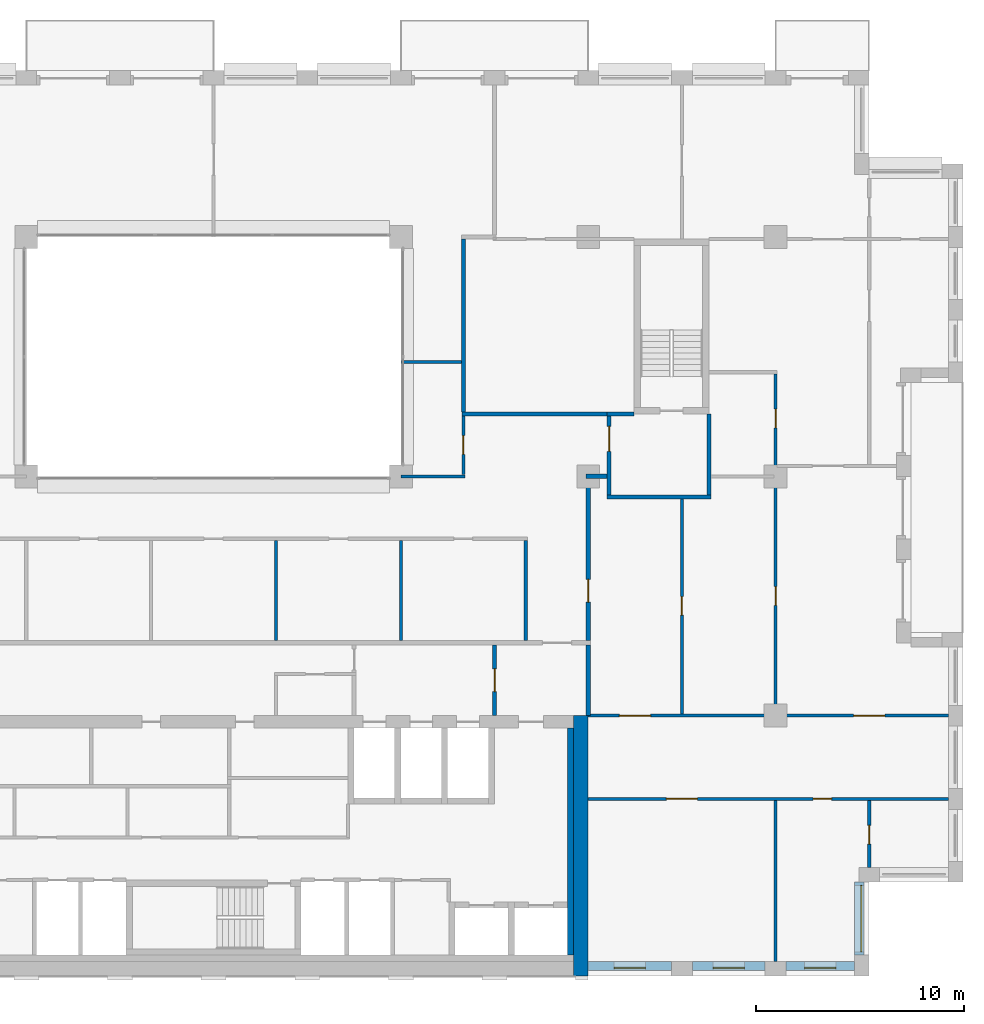
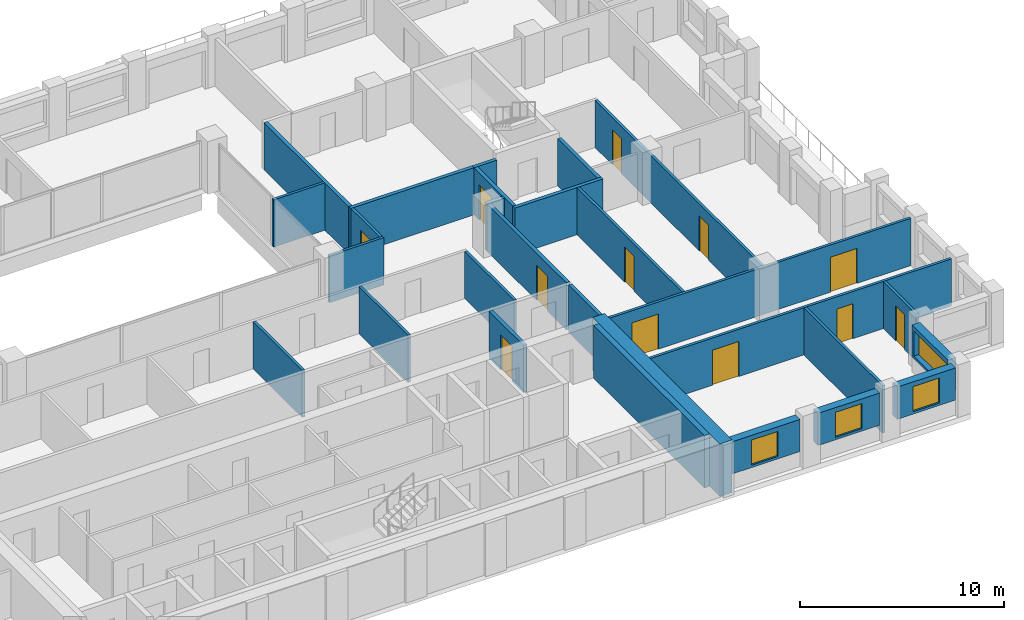
# One storey, part 11 of 16: 28 walls, 12 doors, 4 windows, 16 openings.
"""IFC4 building model written with IfcOpenShell, lengths in metres."""

from ifc_helpers import new_model, si_unit, direction, frame, frame_2d, origin, place, context, subcontext, project, spatial, rectangle, extrude, material, layer, layer_set, type_object, element, fill, save


model = new_model("IFC4")

# Units and contexts
model_context = context("Model", 3, precision=1e-05, world=origin(), true_north=direction((0.0, 1.0)))
body_context = subcontext(model_context, "Body", "Model", "MODEL_VIEW")
ifc_project = project(units=[si_unit("LENGTHUNIT", "METRE"), si_unit("AREAUNIT", "SQUARE_METRE"), si_unit("VOLUMEUNIT", "CUBIC_METRE"), si_unit("PLANEANGLEUNIT", "RADIAN"), si_unit("MASSUNIT", "GRAM", prefix="KILO")], contexts=[model_context])

# Site, building, storey
site_placement = place(None, origin())
site = spatial("IfcSite", under=ifc_project, at=site_placement, CompositionType="ELEMENT")
building_placement = place(site_placement, origin())
building = spatial("IfcBuilding", under=site, at=building_placement, Name="Brigalow Station Residences", CompositionType="ELEMENT")
storey_placement = place(building_placement, frame((0.0, 0.0, 163.35009765625)))
storey = spatial("IfcBuildingStorey", under=building, at=storey_placement, Name="L47", CompositionType="ELEMENT", Elevation=163.35009765625)

# Wall, opening, window
ifc_material_1 = material(Name="Clay brick masonry", Category="masonry")
ifc_layer_1 = layer(ifc_material_1, 0.449951171875)
ifc_layer_set_1 = layer_set([ifc_layer_1], Name="BRICK INFILL WALL 450")
wall_type_1 = type_object("IfcWallType", Name="BRICK INFILL WALL 450", PredefinedType="SOLIDWALL", material=ifc_layer_set_1)
wall_1_placement = place(storey_placement, frame((54.0, 0.47509765625, 0.89990234375), z_axis=(0.0, 0.0, 1.0), x_axis=(1.0, 0.0, 0.0)))
wall_1 = element("IfcWall", 1, at=wall_1_placement, inside=storey, type_object=wall_type_1, Name="L47/ewall/W-L47-4", PredefinedType="SOLIDWALL", context=body_context, shape_type="SweptSolid", body=[
    extrude(rectangle(XDim=4.0, YDim=0.449951171875, at=frame_2d((2.0, 0.0))), origin(), (0.0, 0.0, 1.0), 1.929931640625),
])
opening_1_placement = place(wall_1_placement, frame((1.25, 0.0, 0.14990234375)))
opening_1 = element("IfcOpeningElement", 2, at=opening_1_placement, cuts=wall_1, Name="Opening WT-1", PredefinedType="OPENING", context=body_context, shape_type="SweptSolid", body=[
    extrude(rectangle(XDim=1.5, YDim=1.5, at=frame_2d((0.75, 0.75))), frame((0.0, 0.23486328125, 0.0), z_axis=(0.0, -1.0, 0.0), x_axis=(1.0, 0.0, 0.0)), (0.0, 0.0, 1.0), 0.469970703125),
])
ifc_material_2 = material(Name="Anodised aluminium frame with double glazing", Category="aluminium")
window_type_1 = type_object("IfcWindowType", Name="WINDOW 1500x1500", PartitioningType="SINGLE_PANEL", PredefinedType="WINDOW", material=ifc_material_2)
window_1_placement = place(opening_1_placement, origin())
window_1 = element("IfcWindow", 3, at=window_1_placement, inside=storey, type_object=window_type_1, Name="L47/window/W-L47-4", OverallHeight=1.5, OverallWidth=1.5, PartitioningType="SINGLE_PANEL", PredefinedType="WINDOW", context=body_context, shape_type="SweptSolid", body=[
    extrude(rectangle(XDim=1.5, YDim=1.5, at=frame_2d((0.75, 0.75))), frame((0.0, -0.06494140625, 0.0), z_axis=(0.0, -1.0, 0.0), x_axis=(1.0, 0.0, 0.0)), (0.0, 0.0, 1.0), 0.06005859375),
])
fill(opening_1, window_1)

wall_2_placement = place(storey_placement, frame((59.0, 0.47509765625, 0.89990234375), z_axis=(0.0, 0.0, 1.0), x_axis=(1.0, 0.0, 0.0)))
wall_2 = element("IfcWall", 4, at=wall_2_placement, inside=storey, type_object=wall_type_1, Name="L47/ewall/W-L47-5", PredefinedType="SOLIDWALL", context=body_context, shape_type="SweptSolid", body=[
    extrude(rectangle(XDim=3.5, YDim=0.449951171875, at=frame_2d((1.75, 0.0))), origin(), (0.0, 0.0, 1.0), 1.929931640625),
])
opening_2_placement = place(wall_2_placement, frame((1.0, 0.0, 0.14990234375)))
opening_2 = element("IfcOpeningElement", 5, at=opening_2_placement, cuts=wall_2, Name="Opening WT-1", PredefinedType="OPENING", context=body_context, shape_type="SweptSolid", body=[
    extrude(rectangle(XDim=1.5, YDim=1.5, at=frame_2d((0.75, 0.75))), frame((0.0, 0.23486328125, 0.0), z_axis=(0.0, -1.0, 0.0), x_axis=(1.0, 0.0, 0.0)), (0.0, 0.0, 1.0), 0.469970703125),
])
window_2_placement = place(opening_2_placement, origin())
window_2 = element("IfcWindow", 6, at=window_2_placement, inside=storey, type_object=window_type_1, Name="L47/window/W-L47-5", OverallHeight=1.5, OverallWidth=1.5, PartitioningType="SINGLE_PANEL", PredefinedType="WINDOW", context=body_context, shape_type="SweptSolid", body=[
    extrude(rectangle(XDim=1.5, YDim=1.5, at=frame_2d((0.75, 0.75))), frame((0.0, -0.06494140625, 0.0), z_axis=(0.0, -1.0, 0.0), x_axis=(1.0, 0.0, 0.0)), (0.0, 0.0, 1.0), 0.06005859375),
])
fill(opening_2, window_2)

wall_3_placement = place(storey_placement, frame((63.5, 0.47509765625, 0.89990234375), z_axis=(0.0, 0.0, 1.0), x_axis=(1.0, 0.0, 0.0)))
wall_3 = element("IfcWall", 7, at=wall_3_placement, inside=storey, type_object=wall_type_1, Name="L47/ewall/W-L47-6", PredefinedType="SOLIDWALL", context=body_context, shape_type="SweptSolid", body=[
    extrude(rectangle(XDim=3.300048828125, YDim=0.449951171875, at=frame_2d((1.64990234375, 0.0))), origin(), (0.0, 0.0, 1.0), 1.929931640625),
])
opening_3_placement = place(wall_3_placement, frame((0.89990234375, 0.0, 0.14990234375)))
opening_3 = element("IfcOpeningElement", 8, at=opening_3_placement, cuts=wall_3, Name="Opening WT-1", PredefinedType="OPENING", context=body_context, shape_type="SweptSolid", body=[
    extrude(rectangle(XDim=1.5, YDim=1.5, at=frame_2d((0.75, 0.75))), frame((0.0, 0.23486328125, 0.0), z_axis=(0.0, -1.0, 0.0), x_axis=(1.0, 0.0, 0.0)), (0.0, 0.0, 1.0), 0.469970703125),
])
window_3_placement = place(opening_3_placement, origin())
window_3 = element("IfcWindow", 9, at=window_3_placement, inside=storey, type_object=window_type_1, Name="L47/window/W-L47-6", OverallHeight=1.5, OverallWidth=1.5, PartitioningType="SINGLE_PANEL", PredefinedType="WINDOW", context=body_context, shape_type="SweptSolid", body=[
    extrude(rectangle(XDim=1.5, YDim=1.5, at=frame_2d((0.75, 0.75))), frame((0.0, -0.06494140625, 0.0), z_axis=(0.0, -1.0, 0.0), x_axis=(1.0, 0.0, 0.0)), (0.0, 0.0, 1.0), 0.06005859375),
])
fill(opening_3, window_3)

wall_4_placement = place(storey_placement, frame((67.02490234375, 1.0, 0.89990234375), z_axis=(0.0, 0.0, 1.0), x_axis=(0.0, 1.0, 0.0)))
wall_4 = element("IfcWall", 10, at=wall_4_placement, inside=storey, type_object=wall_type_1, Name="L47/ewall/W-L47-7", PredefinedType="SOLIDWALL", context=body_context, shape_type="SweptSolid", body=[
    extrude(rectangle(XDim=3.5, YDim=0.449951171875, at=frame_2d((1.75, 0.0))), origin(), (0.0, 0.0, 1.0), 1.929931640625),
])
opening_4_placement = place(wall_4_placement, frame((0.14990234375, 0.0, 0.14990234375)))
opening_4 = element("IfcOpeningElement", 11, at=opening_4_placement, cuts=wall_4, Name="Opening WT-9", PredefinedType="OPENING", context=body_context, shape_type="SweptSolid", body=[
    extrude(rectangle(XDim=3.199951171875, YDim=1.5, at=frame_2d((1.60009765625, 0.75))), frame((0.0, 0.23486328125, 0.0), z_axis=(0.0, -1.0, 0.0), x_axis=(1.0, 0.0, 0.0)), (0.0, 0.0, 1.0), 0.469970703125),
])
ifc_material_3 = material(Name="Anodised aluminium frame with double glazing", Category="aluminium")
window_type_2 = type_object("IfcWindowType", Name="WINDOW 3200x1500", PartitioningType="SINGLE_PANEL", PredefinedType="WINDOW", material=ifc_material_3)
window_4_placement = place(opening_4_placement, origin())
window_4 = element("IfcWindow", 12, at=window_4_placement, inside=storey, type_object=window_type_2, Name="L47/window/W-L47-7", OverallHeight=1.5, OverallWidth=3.199951171875, PartitioningType="SINGLE_PANEL", PredefinedType="WINDOW", context=body_context, shape_type="SweptSolid", body=[
    extrude(rectangle(XDim=3.199951171875, YDim=1.5, at=frame_2d((1.60009765625, 0.75))), frame((0.0, -0.06494140625, 0.0), z_axis=(0.0, -1.0, 0.0), x_axis=(1.0, 0.0, 0.0)), (0.0, 0.0, 1.0), 0.06005859375),
])
fill(opening_4, window_4)

# Walls
ifc_material_4 = material(Name="Concrete C65", Category="concrete")
ifc_layer_2 = layer(ifc_material_4, 0.300048828125)
ifc_layer_set_2 = layer_set([ifc_layer_2], Name="CORE SHEAR WALL 300 C65")
wall_type_2 = type_object("IfcWallType", Name="CORE SHEAR WALL 300 C65", PredefinedType="SHEAR", material=ifc_layer_set_2)
wall_5_placement = place(storey_placement, frame((53.14990234375, 1.0, 0.0), z_axis=(0.0, 0.0, 1.0), x_axis=(0.0, 1.0, 0.0)))
element("IfcWall", 13, at=wall_5_placement, inside=storey, type_object=wall_type_2, Name="CORE WALL LIN-E L47", PredefinedType="SHEAR", context=body_context, shape_type="SweptSolid", body=[
    extrude(rectangle(XDim=10.89990234375, YDim=0.300048828125, at=frame_2d((5.449951171875, 0.0))), origin(), (0.0, 0.0, 1.0), 3.14990234375),
])
ifc_material_5 = material(Name="Concrete C65", Category="concrete")
ifc_layer_3 = layer(ifc_material_5, 0.699951171875)
ifc_layer_set_3 = layer_set([ifc_layer_3], Name="CORE SHEAR WALL 700 C65")
wall_type_3 = type_object("IfcWallType", Name="CORE SHEAR WALL 700 C65", PredefinedType="SHEAR", material=ifc_layer_set_3)
wall_6_placement = place(storey_placement, frame((53.64990234375, 0.0, 0.0), z_axis=(0.0, 0.0, 1.0), x_axis=(0.0, 1.0, 0.0)))
element("IfcWall", 14, at=wall_6_placement, inside=storey, type_object=wall_type_3, Name="CORE WALL OUT-E L47", PredefinedType="SHEAR", context=body_context, shape_type="SweptSolid", body=[
    extrude(rectangle(XDim=12.5, YDim=0.699951171875, at=frame_2d((6.25, 0.0))), origin(), (0.0, 0.0, 1.0), 3.14990234375),
])
ifc_material_6 = material(Name="Concrete blockwork", Category="masonry")
ifc_layer_4 = layer(ifc_material_6, 0.199951171875)
ifc_layer_set_4 = layer_set([ifc_layer_4], Name="FIRE RATED CORE PARTITION 200")
wall_type_4 = type_object("IfcWallType", Name="FIRE RATED CORE PARTITION 200", PredefinedType="PARTITIONING", material=ifc_layer_set_4)
wall_7_placement = place(storey_placement, frame((54.89990234375, 23.0, 0.0), z_axis=(0.0, 0.0, 1.0), x_axis=(1.0, 0.0, 0.0)))
element("IfcWall", 15, at=wall_7_placement, inside=storey, type_object=wall_type_4, Name="PW-5024", PredefinedType="PARTITIONING", context=body_context, shape_type="SweptSolid", body=[
    extrude(rectangle(XDim=5.0, YDim=0.199951171875, at=frame_2d((2.5, 0.0))), origin(), (0.0, 0.0, 1.0), 2.829833984375),
])
wall_8_placement = place(storey_placement, frame((54.89990234375, 27.0, 0.0), z_axis=(0.0, 0.0, 1.0), x_axis=(1.0, 0.0, 0.0)))
element("IfcWall", 16, at=wall_8_placement, inside=storey, type_object=wall_type_4, Name="PW-5026", PredefinedType="PARTITIONING", context=body_context, shape_type="SweptSolid", body=[
    extrude(rectangle(XDim=1.300048828125, YDim=0.199951171875, at=frame_2d((0.64990234375, 0.0))), origin(), (0.0, 0.0, 1.0), 2.829833984375),
])

# Wall, opening, door
wall_9_placement = place(storey_placement, frame((49.5, 12.5, 0.0), z_axis=(0.0, 0.0, 1.0), x_axis=(0.0, 1.0, 0.0)))
wall_9 = element("IfcWall", 17, at=wall_9_placement, inside=storey, type_object=wall_type_4, Name="PW-5015", PredefinedType="PARTITIONING", context=body_context, shape_type="SweptSolid", body=[
    extrude(rectangle(XDim=3.39990234375, YDim=0.199951171875, at=frame_2d((1.699951171875, 0.0))), origin(), (0.0, 0.0, 1.0), 2.829833984375),
])
opening_5_placement = place(wall_9_placement, frame((1.14990234375, 0.0, 0.0)))
opening_5 = element("IfcOpeningElement", 18, at=opening_5_placement, cuts=wall_9, Name="Opening D-5014", PredefinedType="OPENING", context=body_context, shape_type="SweptSolid", body=[
    extrude(rectangle(XDim=1.10009765625, YDim=2.10009765625, at=frame_2d((0.550048828125, 1.050048828125))), frame((0.0, 0.10986328125, 0.0), z_axis=(0.0, -1.0, 0.0), x_axis=(1.0, 0.0, 0.0)), (0.0, 0.0, 1.0), 0.219970703125),
])
ifc_material_7 = material(Name="Steel fire door leaf in steel frame", Category="steel")
door_type_1 = type_object("IfcDoorType", Name="LOBBY DOOR 1100 x 2100 FD60S", OperationType="SINGLE_SWING_LEFT", PredefinedType="DOOR", material=ifc_material_7)
door_1_placement = place(opening_5_placement, origin())
door_1 = element("IfcDoor", 19, at=door_1_placement, inside=storey, type_object=door_type_1, Name="D-5014", OperationType="SINGLE_SWING_LEFT", OverallHeight=2.10009765625, OverallWidth=1.10009765625, PredefinedType="DOOR", context=body_context, shape_type="SweptSolid", body=[
    extrude(rectangle(XDim=1.10009765625, YDim=2.10009765625, at=frame_2d((0.550048828125, 1.050048828125))), frame((0.0, 0.02490234375, 0.0), z_axis=(0.0, -1.0, 0.0), x_axis=(1.0, 0.0, 0.0)), (0.0, 0.0, 1.0), 0.050048828125),
])
fill(opening_5, door_1)

# Wall
wall_10_placement = place(storey_placement, frame((54.0, 12.5, 0.0), z_axis=(0.0, 0.0, 1.0), x_axis=(0.0, 1.0, 0.0)))
element("IfcWall", 20, at=wall_10_placement, inside=storey, type_object=wall_type_4, Name="PW-5016", PredefinedType="PARTITIONING", context=body_context, shape_type="SweptSolid", body=[
    extrude(rectangle(XDim=3.39990234375, YDim=0.199951171875, at=frame_2d((1.699951171875, 0.0))), origin(), (0.0, 0.0, 1.0), 2.829833984375),
])

# Wall, opening, door
wall_11_placement = place(storey_placement, frame((55.0, 23.10009765625, 0.0), z_axis=(0.0, 0.0, 1.0), x_axis=(0.0, 1.0, 0.0)))
wall_11 = element("IfcWall", 21, at=wall_11_placement, inside=storey, type_object=wall_type_4, Name="PW-5036", PredefinedType="PARTITIONING", context=body_context, shape_type="SweptSolid", body=[
    extrude(rectangle(XDim=3.7998046875, YDim=0.199951171875, at=frame_2d((1.89990234375, 0.0))), origin(), (0.0, 0.0, 1.0), 2.829833984375),
])
opening_6_placement = place(wall_11_placement, frame((2.10009765625, 0.0, 0.0)))
opening_6 = element("IfcOpeningElement", 22, at=opening_6_placement, cuts=wall_11, Name="Opening D-5019", PredefinedType="OPENING", context=body_context, shape_type="SweptSolid", body=[
    extrude(rectangle(XDim=1.199951171875, YDim=2.10009765625, at=frame_2d((0.60009765625, 1.050048828125))), frame((0.0, 0.10986328125, 0.0), z_axis=(0.0, -1.0, 0.0), x_axis=(1.0, 0.0, 0.0)), (0.0, 0.0, 1.0), 0.219970703125),
])
ifc_material_8 = material(Name="Steel fire door leaf in steel frame", Category="steel")
door_type_2 = type_object("IfcDoorType", Name="STAIR LOBBY DOOR 1200 x 2100 FD60S", OperationType="SINGLE_SWING_LEFT", PredefinedType="DOOR", material=ifc_material_8)
door_2_placement = place(opening_6_placement, frame((1.199951171875, 0.0, 0.0), z_axis=(0.0, 0.0, 1.0), x_axis=(-1.0, 0.0, 0.0)))
door_2 = element("IfcDoor", 23, at=door_2_placement, inside=storey, type_object=door_type_2, Name="D-5019", OperationType="SINGLE_SWING_LEFT", OverallHeight=2.10009765625, OverallWidth=1.199951171875, PredefinedType="DOOR", context=body_context, shape_type="SweptSolid", body=[
    extrude(rectangle(XDim=1.199951171875, YDim=2.10009765625, at=frame_2d((0.60009765625, 1.050048828125))), frame((0.0, 0.02490234375, 0.0), z_axis=(0.0, -1.0, 0.0), x_axis=(1.0, 0.0, 0.0)), (0.0, 0.0, 1.0), 0.050048828125),
])
fill(opening_6, door_2)

# Walls
wall_12_placement = place(storey_placement, frame((59.800048828125, 23.10009765625, 0.0), z_axis=(0.0, 0.0, 1.0), x_axis=(0.0, 1.0, 0.0)))
element("IfcWall", 24, at=wall_12_placement, inside=storey, type_object=wall_type_4, Name="PW-5037", PredefinedType="PARTITIONING", context=body_context, shape_type="SweptSolid", body=[
    extrude(rectangle(XDim=3.89990234375, YDim=0.199951171875, at=frame_2d((1.949951171875, 0.0))), origin(), (0.0, 0.0, 1.0), 2.829833984375),
])
ifc_material_9 = material(Name="Plasterboard on steel stud partition", Category="steel")
ifc_layer_5 = layer(ifc_material_9, 0.14990234375)
ifc_layer_set_5 = layer_set([ifc_layer_5], Name="FLAT PARTITION 150")
wall_type_5 = type_object("IfcWallType", Name="FLAT PARTITION 150", PredefinedType="PARTITIONING", material=ifc_layer_set_5)
wall_13_placement = place(storey_placement, frame((45.0, 24.0, 0.0), z_axis=(0.0, 0.0, 1.0), x_axis=(1.0, 0.0, 0.0)))
element("IfcWall", 25, at=wall_13_placement, inside=storey, type_object=wall_type_5, Name="PW-3C02", PredefinedType="PARTITIONING", context=body_context, shape_type="SweptSolid", body=[
    extrude(rectangle(XDim=3.074951171875, YDim=0.14990234375, at=frame_2d((1.53759765625, 0.0))), origin(), (0.0, 0.0, 1.0), 2.829833984375),
])

# Wall, openings, doors
wall_14_placement = place(storey_placement, frame((54.0, 8.5, 0.0), z_axis=(0.0, 0.0, 1.0), x_axis=(1.0, 0.0, 0.0)))
wall_14 = element("IfcWall", 26, at=wall_14_placement, inside=storey, type_object=wall_type_5, Name="PW-3C10", PredefinedType="PARTITIONING", context=body_context, shape_type="SweptSolid", body=[
    extrude(rectangle(XDim=17.300048828125, YDim=0.14990234375, at=frame_2d((8.64990234375, 0.0))), origin(), (0.0, 0.0, 1.0), 2.829833984375),
])
opening_7_placement = place(wall_14_placement, frame((3.75, 0.0, 0.0)))
opening_7 = element("IfcOpeningElement", 27, at=opening_7_placement, cuts=wall_14, Name="Opening D-3C18", PredefinedType="OPENING", context=body_context, shape_type="SweptSolid", body=[
    extrude(rectangle(XDim=1.5, YDim=2.10009765625, at=frame_2d((0.75, 1.050048828125))), frame((0.0, 0.0849609375, 0.0), z_axis=(0.0, -1.0, 0.0), x_axis=(1.0, 0.0, 0.0)), (0.0, 0.0, 1.0), 0.169921875),
])
opening_8_placement = place(wall_14_placement, frame((10.800048828125, 0.0, 0.0)))
opening_8 = element("IfcOpeningElement", 28, at=opening_8_placement, cuts=wall_14, Name="Opening D-3C19", PredefinedType="OPENING", context=body_context, shape_type="SweptSolid", body=[
    extrude(rectangle(XDim=0.89990234375, YDim=2.10009765625, at=frame_2d((0.449951171875, 1.050048828125))), frame((0.0, 0.0849609375, 0.0), z_axis=(0.0, -1.0, 0.0), x_axis=(1.0, 0.0, 0.0)), (0.0, 0.0, 1.0), 0.169921875),
])
ifc_material_10 = material(Name="Solid-core timber door leaf", Category="wood")
door_type_3 = type_object("IfcDoorType", Name="INTERNAL DOOR 900 x 2100", OperationType="SINGLE_SWING_LEFT", PredefinedType="DOOR", material=ifc_material_10)
door_3_placement = place(opening_8_placement, frame((0.89990234375, 0.0, 0.0), z_axis=(0.0, 0.0, 1.0), x_axis=(-1.0, 0.0, 0.0)))
door_3 = element("IfcDoor", 29, at=door_3_placement, inside=storey, type_object=door_type_3, Name="D-3C19", OperationType="SINGLE_SWING_LEFT", OverallHeight=2.10009765625, OverallWidth=0.89990234375, PredefinedType="DOOR", context=body_context, shape_type="SweptSolid", body=[
    extrude(rectangle(XDim=0.89990234375, YDim=2.10009765625, at=frame_2d((0.449951171875, 1.050048828125))), frame((0.0, 0.02490234375, 0.0), z_axis=(0.0, -1.0, 0.0), x_axis=(1.0, 0.0, 0.0)), (0.0, 0.0, 1.0), 0.050048828125),
])
fill(opening_8, door_3)
ifc_material_11 = material(Name="Solid-core timber door leaf", Category="wood")
door_type_4 = type_object("IfcDoorType", Name="INTERNAL DOUBLE DOOR 1500 x 2100", OperationType="DOUBLE_DOOR_SINGLE_SWING", PredefinedType="DOOR", material=ifc_material_11)
door_4_placement = place(opening_7_placement, origin())
door_4 = element("IfcDoor", 30, at=door_4_placement, inside=storey, type_object=door_type_4, Name="D-3C18", OperationType="DOUBLE_DOOR_SINGLE_SWING", OverallHeight=2.10009765625, OverallWidth=1.5, PredefinedType="DOOR", context=body_context, shape_type="SweptSolid", body=[
    extrude(rectangle(XDim=1.5, YDim=2.10009765625, at=frame_2d((0.75, 1.050048828125))), frame((0.0, 0.02490234375, 0.0), z_axis=(0.0, -1.0, 0.0), x_axis=(1.0, 0.0, 0.0)), (0.0, 0.0, 1.0), 0.050048828125),
])
fill(opening_7, door_4)

wall_15_placement = place(storey_placement, frame((54.0, 12.5, 0.0), z_axis=(0.0, 0.0, 1.0), x_axis=(1.0, 0.0, 0.0)))
wall_15 = element("IfcWall", 31, at=wall_15_placement, inside=storey, type_object=wall_type_5, Name="PW-3C13", PredefinedType="PARTITIONING", context=body_context, shape_type="SweptSolid", body=[
    extrude(rectangle(XDim=17.300048828125, YDim=0.14990234375, at=frame_2d((8.64990234375, 0.0))), origin(), (0.0, 0.0, 1.0), 2.829833984375),
])
opening_9_placement = place(wall_15_placement, frame((1.5, 0.0, 0.0)))
opening_9 = element("IfcOpeningElement", 32, at=opening_9_placement, cuts=wall_15, Name="Opening D-3C16", PredefinedType="OPENING", context=body_context, shape_type="SweptSolid", body=[
    extrude(rectangle(XDim=1.5, YDim=2.10009765625, at=frame_2d((0.75, 1.050048828125))), frame((0.0, 0.0849609375, 0.0), z_axis=(0.0, -1.0, 0.0), x_axis=(1.0, 0.0, 0.0)), (0.0, 0.0, 1.0), 0.169921875),
])
opening_10_placement = place(wall_15_placement, frame((12.75, 0.0, 0.0)))
opening_10 = element("IfcOpeningElement", 33, at=opening_10_placement, cuts=wall_15, Name="Opening D-3C21", PredefinedType="OPENING", context=body_context, shape_type="SweptSolid", body=[
    extrude(rectangle(XDim=1.5, YDim=2.10009765625, at=frame_2d((0.75, 1.050048828125))), frame((0.0, 0.0849609375, 0.0), z_axis=(0.0, -1.0, 0.0), x_axis=(1.0, 0.0, 0.0)), (0.0, 0.0, 1.0), 0.169921875),
])
door_5_placement = place(opening_9_placement, origin())
door_5 = element("IfcDoor", 34, at=door_5_placement, inside=storey, type_object=door_type_4, Name="D-3C16", OperationType="DOUBLE_DOOR_SINGLE_SWING", OverallHeight=2.10009765625, OverallWidth=1.5, PredefinedType="DOOR", context=body_context, shape_type="SweptSolid", body=[
    extrude(rectangle(XDim=1.5, YDim=2.10009765625, at=frame_2d((0.75, 1.050048828125))), frame((0.0, 0.02490234375, 0.0), z_axis=(0.0, -1.0, 0.0), x_axis=(1.0, 0.0, 0.0)), (0.0, 0.0, 1.0), 0.050048828125),
])
fill(opening_9, door_5)
door_6_placement = place(opening_10_placement, frame((1.5, 0.0, 0.0), z_axis=(0.0, 0.0, 1.0), x_axis=(-1.0, 0.0, 0.0)))
door_6 = element("IfcDoor", 35, at=door_6_placement, inside=storey, type_object=door_type_4, Name="D-3C21", OperationType="DOUBLE_DOOR_SINGLE_SWING", OverallHeight=2.10009765625, OverallWidth=1.5, PredefinedType="DOOR", context=body_context, shape_type="SweptSolid", body=[
    extrude(rectangle(XDim=1.5, YDim=2.10009765625, at=frame_2d((0.75, 1.050048828125))), frame((0.0, 0.02490234375, 0.0), z_axis=(0.0, -1.0, 0.0), x_axis=(1.0, 0.0, 0.0)), (0.0, 0.0, 1.0), 0.050048828125),
])
fill(opening_10, door_6)

# Walls
wall_16_placement = place(storey_placement, frame((45.0, 29.5, 0.0), z_axis=(0.0, 0.0, 1.0), x_axis=(1.0, 0.0, 0.0)))
element("IfcWall", 36, at=wall_16_placement, inside=storey, type_object=wall_type_5, Name="PW-3C25", PredefinedType="PARTITIONING", context=body_context, shape_type="SweptSolid", body=[
    extrude(rectangle(XDim=2.89990234375, YDim=0.14990234375, at=frame_2d((1.449951171875, 0.0))), origin(), (0.0, 0.0, 1.0), 2.829833984375),
])
wall_17_placement = place(storey_placement, frame((51.0, 16.10009765625, 0.0), z_axis=(0.0, 0.0, 1.0), x_axis=(0.0, 1.0, 0.0)))
element("IfcWall", 37, at=wall_17_placement, inside=storey, type_object=wall_type_5, Name="PW-3C31", PredefinedType="PARTITIONING", context=body_context, shape_type="SweptSolid", body=[
    extrude(rectangle(XDim=4.824951171875, YDim=0.14990234375, at=frame_2d((2.41259765625, 0.0))), origin(), (0.0, 0.0, 1.0), 2.829833984375),
])

# Wall, opening, door
wall_18_placement = place(storey_placement, frame((48.0, 24.074951171875, 0.0), z_axis=(0.0, 0.0, 1.0), x_axis=(0.0, 1.0, 0.0)))
wall_18 = element("IfcWall", 38, at=wall_18_placement, inside=storey, type_object=wall_type_5, Name="PW-3C34", PredefinedType="PARTITIONING", context=body_context, shape_type="SweptSolid", body=[
    extrude(rectangle(XDim=2.824951171875, YDim=0.14990234375, at=frame_2d((1.41259765625, 0.0))), origin(), (0.0, 0.0, 1.0), 2.829833984375),
])
opening_11_placement = place(wall_18_placement, frame((0.97509765625, 0.0, 0.0)))
opening_11 = element("IfcOpeningElement", 39, at=opening_11_placement, cuts=wall_18, Name="Opening D-3C32", PredefinedType="OPENING", context=body_context, shape_type="SweptSolid", body=[
    extrude(rectangle(XDim=0.89990234375, YDim=2.10009765625, at=frame_2d((0.449951171875, 1.050048828125))), frame((0.0, 0.0849609375, 0.0), z_axis=(0.0, -1.0, 0.0), x_axis=(1.0, 0.0, 0.0)), (0.0, 0.0, 1.0), 0.169921875),
])
door_7_placement = place(opening_11_placement, origin())
door_7 = element("IfcDoor", 40, at=door_7_placement, inside=storey, type_object=door_type_3, Name="D-3C32", OperationType="SINGLE_SWING_LEFT", OverallHeight=2.10009765625, OverallWidth=0.89990234375, PredefinedType="DOOR", context=body_context, shape_type="SweptSolid", body=[
    extrude(rectangle(XDim=0.89990234375, YDim=2.10009765625, at=frame_2d((0.449951171875, 1.050048828125))), frame((0.0, 0.02490234375, 0.0), z_axis=(0.0, -1.0, 0.0), x_axis=(1.0, 0.0, 0.0)), (0.0, 0.0, 1.0), 0.050048828125),
])
fill(opening_11, door_7)

wall_19_placement = place(storey_placement, frame((58.5, 12.574951171875, 0.0), z_axis=(0.0, 0.0, 1.0), x_axis=(0.0, 1.0, 0.0)))
wall_19 = element("IfcWall", 41, at=wall_19_placement, inside=storey, type_object=wall_type_5, Name="PW-3C41", PredefinedType="PARTITIONING", context=body_context, shape_type="SweptSolid", body=[
    extrude(rectangle(XDim=10.324951171875, YDim=0.14990234375, at=frame_2d((5.16259765625, 0.0))), origin(), (0.0, 0.0, 1.0), 2.829833984375),
])
opening_12_placement = place(wall_19_placement, frame((4.75, 0.0, 0.0)))
opening_12 = element("IfcOpeningElement", 42, at=opening_12_placement, cuts=wall_19, Name="Opening D-3C17", PredefinedType="OPENING", context=body_context, shape_type="SweptSolid", body=[
    extrude(rectangle(XDim=0.89990234375, YDim=2.10009765625, at=frame_2d((0.449951171875, 1.050048828125))), frame((0.0, 0.0849609375, 0.0), z_axis=(0.0, -1.0, 0.0), x_axis=(1.0, 0.0, 0.0)), (0.0, 0.0, 1.0), 0.169921875),
])
door_8_placement = place(opening_12_placement, origin())
door_8 = element("IfcDoor", 43, at=door_8_placement, inside=storey, type_object=door_type_3, Name="D-3C17", OperationType="SINGLE_SWING_RIGHT", OverallHeight=2.10009765625, OverallWidth=0.89990234375, PredefinedType="DOOR", context=body_context, shape_type="SweptSolid", body=[
    extrude(rectangle(XDim=0.89990234375, YDim=2.10009765625, at=frame_2d((0.449951171875, 1.050048828125))), frame((0.0, 0.02490234375, 0.0), z_axis=(0.0, -1.0, 0.0), x_axis=(1.0, 0.0, 0.0)), (0.0, 0.0, 1.0), 0.050048828125),
])
fill(opening_12, door_8)

# Wall
wall_20_placement = place(storey_placement, frame((63.0, 0.699951171875, 0.0), z_axis=(0.0, 0.0, 1.0), x_axis=(0.0, 1.0, 0.0)))
element("IfcWall", 44, at=wall_20_placement, inside=storey, type_object=wall_type_5, Name="PW-3C43", PredefinedType="PARTITIONING", context=body_context, shape_type="SweptSolid", body=[
    extrude(rectangle(XDim=7.72509765625, YDim=0.14990234375, at=frame_2d((3.862548828125, 0.0))), origin(), (0.0, 0.0, 1.0), 2.829833984375),
])

# Wall, openings, doors
wall_21_placement = place(storey_placement, frame((63.0, 12.574951171875, 0.0), z_axis=(0.0, 0.0, 1.0), x_axis=(0.0, 1.0, 0.0)))
wall_21 = element("IfcWall", 45, at=wall_21_placement, inside=storey, type_object=wall_type_5, Name="PW-3C44", PredefinedType="PARTITIONING", context=body_context, shape_type="SweptSolid", body=[
    extrude(rectangle(XDim=16.35009765625, YDim=0.14990234375, at=frame_2d((8.175048828125, 0.0))), origin(), (0.0, 0.0, 1.0), 2.829833984375),
])
opening_13_placement = place(wall_21_placement, frame((5.22509765625, 0.0, 0.0)))
opening_13 = element("IfcOpeningElement", 46, at=opening_13_placement, cuts=wall_21, Name="Opening D-3C22", PredefinedType="OPENING", context=body_context, shape_type="SweptSolid", body=[
    extrude(rectangle(XDim=0.89990234375, YDim=2.10009765625, at=frame_2d((0.449951171875, 1.050048828125))), frame((0.0, 0.0849609375, 0.0), z_axis=(0.0, -1.0, 0.0), x_axis=(1.0, 0.0, 0.0)), (0.0, 0.0, 1.0), 0.169921875),
])
opening_14_placement = place(wall_21_placement, frame((13.75, 0.0, 0.0)))
opening_14 = element("IfcOpeningElement", 47, at=opening_14_placement, cuts=wall_21, Name="Opening D-3C24", PredefinedType="OPENING", context=body_context, shape_type="SweptSolid", body=[
    extrude(rectangle(XDim=0.89990234375, YDim=2.10009765625, at=frame_2d((0.449951171875, 1.050048828125))), frame((0.0, 0.0849609375, 0.0), z_axis=(0.0, -1.0, 0.0), x_axis=(1.0, 0.0, 0.0)), (0.0, 0.0, 1.0), 0.169921875),
])
door_9_placement = place(opening_13_placement, origin())
door_9 = element("IfcDoor", 48, at=door_9_placement, inside=storey, type_object=door_type_3, Name="D-3C22", OperationType="SINGLE_SWING_RIGHT", OverallHeight=2.10009765625, OverallWidth=0.89990234375, PredefinedType="DOOR", context=body_context, shape_type="SweptSolid", body=[
    extrude(rectangle(XDim=0.89990234375, YDim=2.10009765625, at=frame_2d((0.449951171875, 1.050048828125))), frame((0.0, 0.02490234375, 0.0), z_axis=(0.0, -1.0, 0.0), x_axis=(1.0, 0.0, 0.0)), (0.0, 0.0, 1.0), 0.050048828125),
])
fill(opening_13, door_9)
door_10_placement = place(opening_14_placement, origin())
door_10 = element("IfcDoor", 49, at=door_10_placement, inside=storey, type_object=door_type_3, Name="D-3C24", OperationType="SINGLE_SWING_RIGHT", OverallHeight=2.10009765625, OverallWidth=0.89990234375, PredefinedType="DOOR", context=body_context, shape_type="SweptSolid", body=[
    extrude(rectangle(XDim=0.89990234375, YDim=2.10009765625, at=frame_2d((0.449951171875, 1.050048828125))), frame((0.0, 0.02490234375, 0.0), z_axis=(0.0, -1.0, 0.0), x_axis=(1.0, 0.0, 0.0)), (0.0, 0.0, 1.0), 0.050048828125),
])
fill(opening_14, door_10)

# Wall, opening, door
wall_22_placement = place(storey_placement, frame((67.5, 5.199951171875, 0.0), z_axis=(0.0, 0.0, 1.0), x_axis=(0.0, 1.0, 0.0)))
wall_22 = element("IfcWall", 50, at=wall_22_placement, inside=storey, type_object=wall_type_5, Name="PW-3C45", PredefinedType="PARTITIONING", context=body_context, shape_type="SweptSolid", body=[
    extrude(rectangle(XDim=3.22509765625, YDim=0.14990234375, at=frame_2d((1.612548828125, 0.0))), origin(), (0.0, 0.0, 1.0), 2.829833984375),
])
opening_15_placement = place(wall_22_placement, frame((1.125, 0.0, 0.0)))
opening_15 = element("IfcOpeningElement", 51, at=opening_15_placement, cuts=wall_22, Name="Opening D-3C20", PredefinedType="OPENING", context=body_context, shape_type="SweptSolid", body=[
    extrude(rectangle(XDim=0.89990234375, YDim=2.10009765625, at=frame_2d((0.449951171875, 1.050048828125))), frame((0.0, 0.0849609375, 0.0), z_axis=(0.0, -1.0, 0.0), x_axis=(1.0, 0.0, 0.0)), (0.0, 0.0, 1.0), 0.169921875),
])
door_11_placement = place(opening_15_placement, frame((0.89990234375, 0.0, 0.0), z_axis=(0.0, 0.0, 1.0), x_axis=(-1.0, 0.0, 0.0)))
door_11 = element("IfcDoor", 52, at=door_11_placement, inside=storey, type_object=door_type_3, Name="D-3C20", OperationType="SINGLE_SWING_RIGHT", OverallHeight=2.10009765625, OverallWidth=0.89990234375, PredefinedType="DOOR", context=body_context, shape_type="SweptSolid", body=[
    extrude(rectangle(XDim=0.89990234375, YDim=2.10009765625, at=frame_2d((0.449951171875, 1.050048828125))), frame((0.0, 0.02490234375, 0.0), z_axis=(0.0, -1.0, 0.0), x_axis=(1.0, 0.0, 0.0)), (0.0, 0.0, 1.0), 0.050048828125),
])
fill(opening_15, door_11)

# Walls
for number, where, z_axis, x_axis, name in (
    (53, (39.0, 16.10009765625, 0.0), (0.0, 0.0, 1.0), (0.0, 1.0, 0.0), "PW-3C53"),
    (54, (45.0, 16.10009765625, 0.0), (0.0, 0.0, 1.0), (0.0, 1.0, 0.0), "PW-3C54"),
):
    element("IfcWall", number, at=place(storey_placement, frame(where, z_axis=z_axis, x_axis=x_axis)), inside=storey, type_object=wall_type_5, Name=name, PredefinedType="PARTITIONING", context=body_context, shape_type="SweptSolid", body=[
        extrude(rectangle(XDim=4.824951171875, YDim=0.14990234375, at=frame_2d((2.41259765625, 0.0))), origin(), (0.0, 0.0, 1.0), 2.829833984375),
    ])
ifc_material_12 = material(Name="Plasterboard on steel stud partition", Category="steel")
ifc_layer_6 = layer(ifc_material_12, 0.199951171875)
ifc_layer_set_6 = layer_set([ifc_layer_6], Name="PARTY AND CORRIDOR WALL 200")
wall_type_6 = type_object("IfcWallType", Name="PARTY AND CORRIDOR WALL 200", PredefinedType="PARTITIONING", material=ifc_layer_set_6)
wall_23_placement = place(storey_placement, frame((53.89990234375, 24.0, 0.0), z_axis=(0.0, 0.0, 1.0), x_axis=(1.0, 0.0, 0.0)))
element("IfcWall", 55, at=wall_23_placement, inside=storey, type_object=wall_type_6, Name="PW-3C05", PredefinedType="PARTITIONING", context=body_context, shape_type="SweptSolid", body=[
    extrude(rectangle(XDim=1.0, YDim=0.199951171875, at=frame_2d((0.5, 0.0))), origin(), (0.0, 0.0, 1.0), 2.829833984375),
])
wall_24_placement = place(storey_placement, frame((47.925048828125, 27.0, 0.0), z_axis=(0.0, 0.0, 1.0), x_axis=(1.0, 0.0, 0.0)))
element("IfcWall", 56, at=wall_24_placement, inside=storey, type_object=wall_type_6, Name="PW-3C08", PredefinedType="PARTITIONING", context=body_context, shape_type="SweptSolid", body=[
    extrude(rectangle(XDim=6.974853515625, YDim=0.199951171875, at=frame_2d((3.4873046875, 0.0))), origin(), (0.0, 0.0, 1.0), 2.829833984375),
])

# Wall, opening, door
wall_25_placement = place(storey_placement, frame((54.0, 16.10009765625, 0.0), z_axis=(0.0, 0.0, 1.0), x_axis=(0.0, 1.0, 0.0)))
wall_25 = element("IfcWall", 57, at=wall_25_placement, inside=storey, type_object=wall_type_6, Name="PW-3C29", PredefinedType="PARTITIONING", context=body_context, shape_type="SweptSolid", body=[
    extrude(rectangle(XDim=7.7998046875, YDim=0.199951171875, at=frame_2d((3.89990234375, 0.0))), origin(), (0.0, 0.0, 1.0), 2.829833984375),
])
opening_16_placement = place(wall_25_placement, frame((1.85009765625, 0.0, 0.0)))
opening_16 = element("IfcOpeningElement", 58, at=opening_16_placement, cuts=wall_25, Name="Opening D-3C15", PredefinedType="OPENING", context=body_context, shape_type="SweptSolid", body=[
    extrude(rectangle(XDim=1.10009765625, YDim=2.10009765625, at=frame_2d((0.550048828125, 1.050048828125))), frame((0.0, 0.10986328125, 0.0), z_axis=(0.0, -1.0, 0.0), x_axis=(1.0, 0.0, 0.0)), (0.0, 0.0, 1.0), 0.219970703125),
])
ifc_material_13 = material(Name="Solid-core timber door leaf", Category="wood")
door_type_5 = type_object("IfcDoorType", Name="FLAT ENTRANCE DOOR 1100 x 2100 FRL -/60/30", OperationType="SINGLE_SWING_LEFT", PredefinedType="DOOR", material=ifc_material_13)
door_12_placement = place(opening_16_placement, frame((1.10009765625, 0.0, 0.0), z_axis=(0.0, 0.0, 1.0), x_axis=(-1.0, 0.0, 0.0)))
door_12 = element("IfcDoor", 59, at=door_12_placement, inside=storey, type_object=door_type_5, Name="D-3C15", OperationType="SINGLE_SWING_LEFT", OverallHeight=2.10009765625, OverallWidth=1.10009765625, PredefinedType="DOOR", context=body_context, shape_type="SweptSolid", body=[
    extrude(rectangle(XDim=1.10009765625, YDim=2.10009765625, at=frame_2d((0.550048828125, 1.050048828125))), frame((0.0, 0.02490234375, 0.0), z_axis=(0.0, -1.0, 0.0), x_axis=(1.0, 0.0, 0.0)), (0.0, 0.0, 1.0), 0.050048828125),
])
fill(opening_16, door_12)

# Wall
wall_26_placement = place(storey_placement, frame((48.0, 27.10009765625, 0.0), z_axis=(0.0, 0.0, 1.0), x_axis=(0.0, 1.0, 0.0)))
element("IfcWall", 60, at=wall_26_placement, inside=storey, type_object=wall_type_6, Name="PW-3C35", PredefinedType="PARTITIONING", context=body_context, shape_type="SweptSolid", body=[
    extrude(rectangle(XDim=8.2998046875, YDim=0.199951171875, at=frame_2d((4.14990234375, 0.0))), origin(), (0.0, 0.0, 1.0), 2.829833984375),
])

save(model, "model.ifc")
